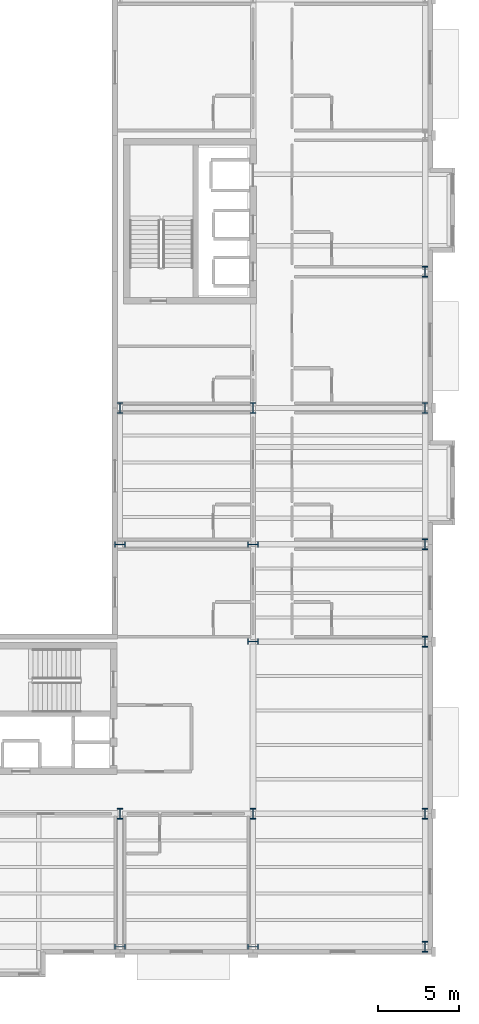
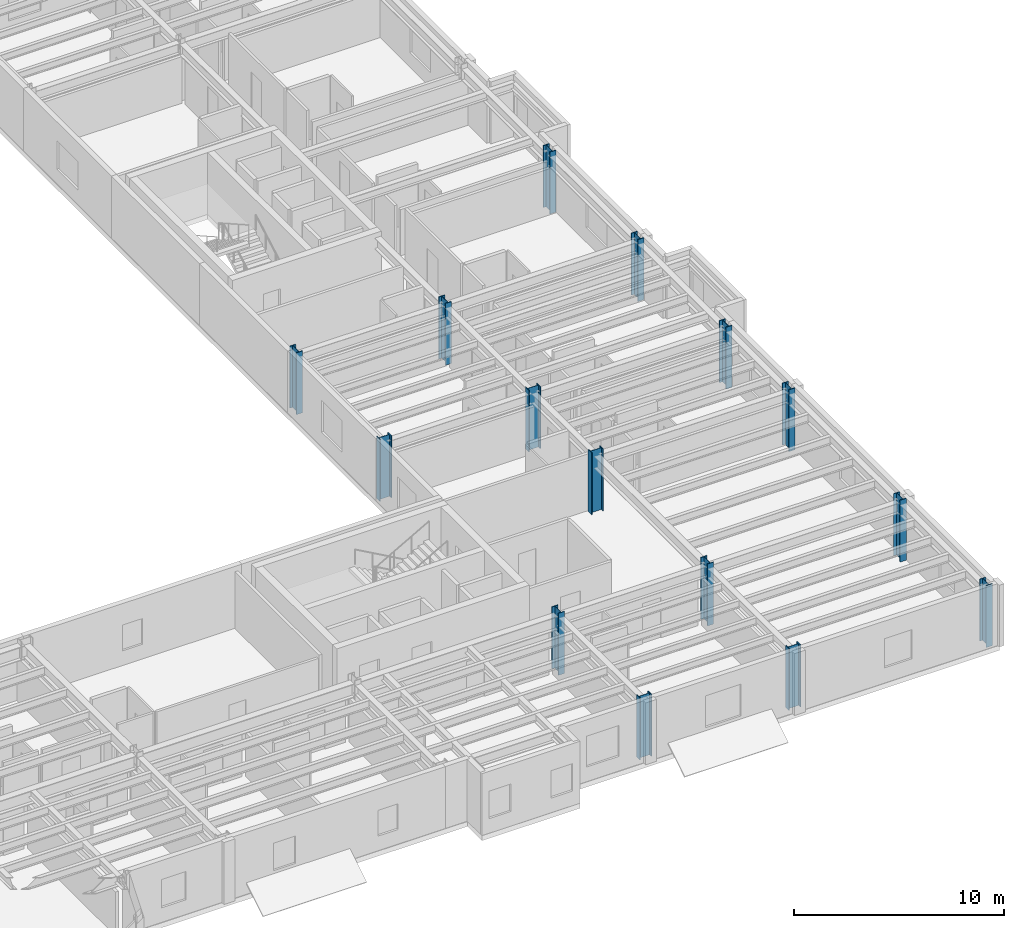
# One storey, part 5 of 34: 15 columns.
"""IFC4 building model written with IfcOpenShell, lengths in metres."""

from ifc_helpers import new_model, si_unit, direction, frame, origin, origin_2d, place, context, subcontext, project, spatial, i_section, extrude, material, material_profile, profile_set, type_object, element, save


model = new_model("IFC4")

# Units and contexts
model_context = context("Model", 3, precision=1e-05, world=origin(), true_north=direction((0.0, 1.0)))
body_context = subcontext(model_context, "Body", "Model", "MODEL_VIEW")
ifc_project = project(units=[si_unit("LENGTHUNIT", "METRE"), si_unit("AREAUNIT", "SQUARE_METRE"), si_unit("VOLUMEUNIT", "CUBIC_METRE"), si_unit("PLANEANGLEUNIT", "RADIAN"), si_unit("MASSUNIT", "GRAM", prefix="KILO")], contexts=[model_context])

# Site, building, storey
site_placement = place(None, origin())
site = spatial("IfcSite", under=ifc_project, at=site_placement, CompositionType="ELEMENT")
building_placement = place(site_placement, origin())
building = spatial("IfcBuilding", under=site, at=building_placement, Name="Sollismere Congress Hotel", CompositionType="ELEMENT")
storey_placement = place(building_placement, frame((0.0, 0.0, 23.39990234375)))
storey = spatial("IfcBuildingStorey", under=building, at=storey_placement, Name="L05", CompositionType="ELEMENT", Elevation=23.39990234375)

# Columns
ifc_material = material(Name="Steel ASTM A992 Grade 50", Category="steel")
ifc_material_profile = material_profile(ifc_material, i_section(OverallWidth=0.3330078125, OverallDepth=0.659912109375, WebThickness=0.0244140625, FlangeThickness=0.0439453125, at=origin_2d()), Name="W24X229")
ifc_profile_set = profile_set([ifc_material_profile], Name="Steel ASTM A992 Grade 50")
column_type = type_object("IfcColumnType", Name="COL-W24", PredefinedType="COLUMN", material=ifc_profile_set)
for number, where, z_axis, x_axis, name in (
    (1, (147.199951171875, 0.0, 0.0), (0.0, 0.0, 1.0), (0.0, 1.0, 0.0), "Column CL-L05-786"),
    (2, (147.199951171875, 8.199951171875, 0.0), (0.0, 0.0, 1.0), (1.0, 0.0, 0.0), "Column CL-L05-799"),
    (3, (147.199951171875, 24.800048828125, 0.0), (0.0, 0.0, 1.0), (0.0, 1.0, 0.0), "Column CL-L05-812"),
    (4, (147.199951171875, 33.199951171875, 0.0), (0.0, 0.0, 1.0), (1.0, 0.0, 0.0), "Column CL-L05-825"),
    (5, (155.39990234375, 0.0, 0.0), (0.0, 0.0, 1.0), (0.0, 1.0, 0.0), "Column CL-L05-861"),
    (6, (155.39990234375, 8.199951171875, 0.0), (0.0, 0.0, 1.0), (1.0, 0.0, 0.0), "Column CL-L05-874"),
    (7, (155.39990234375, 18.800048828125, 0.0), (0.0, 0.0, 1.0), (0.0, 1.0, 0.0), "Column CL-L05-887"),
    (8, (155.39990234375, 24.800048828125, 0.0), (0.0, 0.0, 1.0), (0.0, 1.0, 0.0), "Column CL-L05-900"),
    (9, (155.39990234375, 33.199951171875, 0.0), (0.0, 0.0, 1.0), (1.0, 0.0, 0.0), "Column CL-L05-913"),
    (10, (166.0, 0.0, 0.0), (0.0, 0.0, 1.0), (1.0, 0.0, 0.0), "Column CL-L05-949"),
    (11, (166.0, 8.199951171875, 0.0), (0.0, 0.0, 1.0), (1.0, 0.0, 0.0), "Column CL-L05-962"),
    (12, (166.0, 18.800048828125, 0.0), (0.0, 0.0, 1.0), (1.0, 0.0, 0.0), "Column CL-L05-975"),
    (13, (166.0, 24.800048828125, 0.0), (0.0, 0.0, 1.0), (1.0, 0.0, 0.0), "Column CL-L05-988"),
    (14, (166.0, 33.199951171875, 0.0), (0.0, 0.0, 1.0), (1.0, 0.0, 0.0), "Column CL-L05-1001"),
    (15, (166.0, 41.60009765625, 0.0), (0.0, 0.0, 1.0), (1.0, 0.0, 0.0), "Column CL-L05-1014"),
):
    element("IfcColumn", number, at=place(storey_placement, frame(where, z_axis=z_axis, x_axis=x_axis)), inside=storey, type_object=column_type, Name=name, PredefinedType="COLUMN", context=body_context, shape_type="SweptSolid", body=[
        extrude(i_section(OverallWidth=0.3330078125, OverallDepth=0.659912109375, WebThickness=0.0244140625, FlangeThickness=0.0439453125, at=origin_2d()), origin(), (0.0, 0.0, 1.0), 3.60009765625),
    ])

save(model, "model.ifc")
